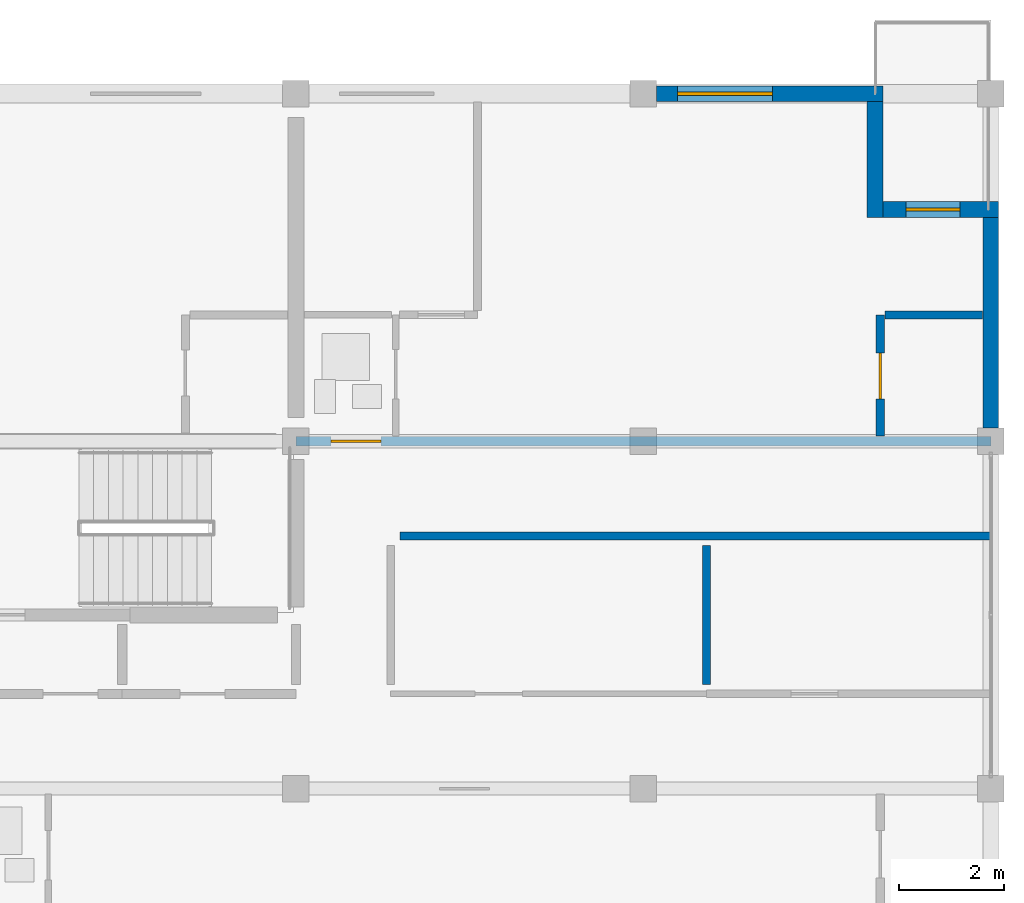
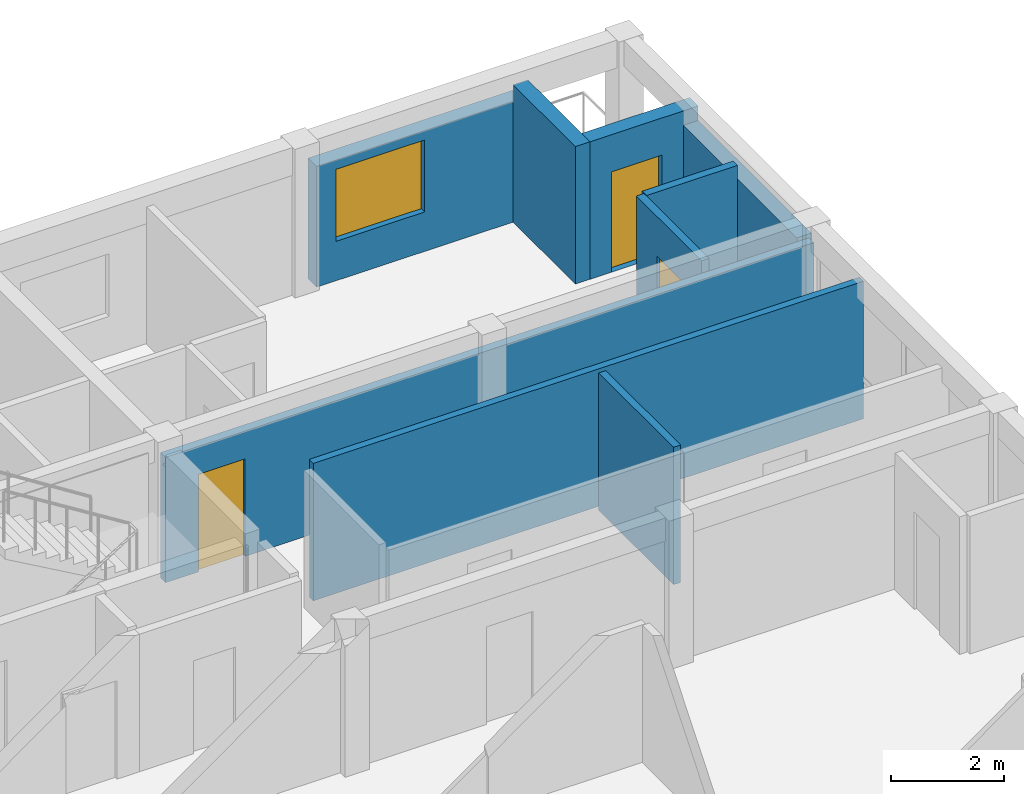
# One storey, part 38 of 45: 9 walls, 3 doors, 1 window, 4 openings.
"""IFC4 building model written with IfcOpenShell, lengths in metres."""

from ifc_helpers import new_model, si_unit, direction, frame, frame_2d, origin, place, context, subcontext, project, spatial, rectangle, extrude, material, layer, layer_set, type_object, element, fill, save


model = new_model("IFC4")

# Units and contexts
model_context = context("Model", 3, precision=1e-05, world=origin(), true_north=direction((0.0, 1.0)))
body_context = subcontext(model_context, "Body", "Model", "MODEL_VIEW")
ifc_project = project(units=[si_unit("LENGTHUNIT", "METRE"), si_unit("AREAUNIT", "SQUARE_METRE"), si_unit("VOLUMEUNIT", "CUBIC_METRE"), si_unit("PLANEANGLEUNIT", "RADIAN"), si_unit("MASSUNIT", "GRAM", prefix="KILO")], contexts=[model_context])

# Site, building, storey
site_placement = place(None, origin())
site = spatial("IfcSite", under=ifc_project, at=site_placement, CompositionType="ELEMENT")
building_placement = place(site_placement, origin())
building = spatial("IfcBuilding", under=site, at=building_placement, Name="Kernevlak Ridge Housing Community", CompositionType="ELEMENT")
storey_placement = place(building_placement, frame((0.0, 0.0, 14.800048828125)))
storey = spatial("IfcBuildingStorey", under=building, at=storey_placement, Name="L04", CompositionType="ELEMENT", Elevation=14.800048828125)

# Wall, opening, window
ifc_material_1 = material(Name="Concrete block masonry M10", Category="masonry")
ifc_layer_1 = layer(ifc_material_1, 0.300048828125, Name="Concrete block masonry M10")
ifc_layer_set_1 = layer_set([ifc_layer_1], Name="Concrete block masonry M10")
wall_type_1 = type_object("IfcWallType", Name="EW-01", PredefinedType="STANDARD", material=ifc_layer_set_1)
wall_1_placement = place(storey_placement, frame((146.050048828125, 102.39990234375, 0.0), z_axis=(0.0, 0.0, 1.0), x_axis=(1.0, 0.0, 0.0)))
wall_1 = element("IfcWall", 1, at=wall_1_placement, inside=storey, type_object=wall_type_1, Name="Exterior wall EW-01 L04 364", PredefinedType="STANDARD", context=body_context, shape_type="SweptSolid", body=[
    extrude(rectangle(XDim=4.300048828125, YDim=0.300048828125, at=frame_2d((2.14990234375, 0.0))), origin(), (0.0, 0.0, 1.0), 2.599853515625),
])
opening_1_placement = place(wall_1_placement, frame((0.39990234375, 0.0, 0.85009765625)))
opening_1 = element("IfcOpeningElement", 2, at=opening_1_placement, cuts=wall_1, Name="Opening WT-04", PredefinedType="OPENING", context=body_context, shape_type="SweptSolid", body=[
    extrude(rectangle(XDim=1.800048828125, YDim=1.550048828125, at=frame_2d((0.89990234375, 0.77490234375))), frame((0.0, 0.159912109375, 0.0), z_axis=(0.0, -1.0, 0.0), x_axis=(1.0, 0.0, 0.0)), (0.0, 0.0, 1.0), 0.320068359375),
])
ifc_material_2 = material(Name="Aluminium EN AW-6060 anodised and laminated glass", Category="aluminium")
window_type = type_object("IfcWindowType", Name="WT-04", PartitioningType="SINGLE_PANEL", PredefinedType="WINDOW", material=ifc_material_2)
window_placement = place(opening_1_placement, origin())
window = element("IfcWindow", 3, at=window_placement, inside=storey, type_object=window_type, Name="Window WT-04 L04 282", OverallHeight=1.550048828125, OverallWidth=1.800048828125, PartitioningType="SINGLE_PANEL", PredefinedType="WINDOW", context=body_context, shape_type="SweptSolid", body=[
    extrude(rectangle(XDim=1.800048828125, YDim=1.550048828125, at=frame_2d((0.89990234375, 0.77490234375))), frame((0.0, 0.030029296875, 0.0), z_axis=(0.0, -1.0, 0.0), x_axis=(1.0, 0.0, 0.0)), (0.0, 0.0, 1.0), 0.06005859375),
])
fill(opening_1, window)

# Wall
wall_2_placement = place(storey_placement, frame((150.199951171875, 102.25, 0.0), z_axis=(0.0, 0.0, 1.0), x_axis=(0.0, -1.0, 0.0)))
element("IfcWall", 4, at=wall_2_placement, inside=storey, type_object=wall_type_1, Name="Exterior wall EW-01 L04 365", PredefinedType="STANDARD", context=body_context, shape_type="SweptSolid", body=[
    extrude(rectangle(XDim=2.199951171875, YDim=0.300048828125, at=frame_2d((1.10009765625, 0.0))), origin(), (0.0, 0.0, 1.0), 2.9599609375),
])

# Wall, opening, door
wall_3_placement = place(storey_placement, frame((150.35009765625, 100.199951171875, 0.0), z_axis=(0.0, 0.0, 1.0), x_axis=(1.0, 0.0, 0.0)))
wall_3 = element("IfcWall", 5, at=wall_3_placement, inside=storey, type_object=wall_type_1, Name="Exterior wall EW-01 L04 366", PredefinedType="STANDARD", context=body_context, shape_type="SweptSolid", body=[
    extrude(rectangle(XDim=2.199951171875, YDim=0.300048828125, at=frame_2d((1.10009765625, 0.0))), origin(), (0.0, 0.0, 1.0), 2.9599609375),
])
opening_2_placement = place(wall_3_placement, frame((0.43994140625, 0.0, 0.0)))
opening_2 = element("IfcOpeningElement", 6, at=opening_2_placement, cuts=wall_3, Name="Opening D731", PredefinedType="OPENING", context=body_context, shape_type="SweptSolid", body=[
    extrude(rectangle(XDim=1.02001953125, YDim=2.159912109375, at=frame_2d((0.510009765625, 1.080078125))), frame((0.0, 0.159912109375, 0.0), z_axis=(0.0, -1.0, 0.0), x_axis=(1.0, 0.0, 0.0)), (0.0, 0.0, 1.0), 0.320068359375),
])
ifc_material_3 = material(Name="Aluminium EN AW-6060 and laminated safety glass", Category="aluminium")
door_type_1 = type_object("IfcDoorType", Name="DT-33", OperationType="NOTDEFINED", PredefinedType="DOOR", material=ifc_material_3)
door_1_placement = place(opening_2_placement, origin())
door_1 = element("IfcDoor", 7, at=door_1_placement, inside=storey, type_object=door_type_1, Name="Flat B0423 corner balcony glazed door D731", OperationType="SINGLE_SWING_LEFT", OverallHeight=2.159912109375, OverallWidth=1.02001953125, PredefinedType="DOOR", context=body_context, shape_type="SweptSolid", body=[
    extrude(rectangle(XDim=1.02001953125, YDim=2.159912109375, at=frame_2d((0.510009765625, 1.080078125))), frame((0.0, 0.02490234375, 0.0), z_axis=(0.0, -1.0, 0.0), x_axis=(1.0, 0.0, 0.0)), (0.0, 0.0, 1.0), 0.050048828125),
])
fill(opening_2, door_1)

# Wall
wall_4_placement = place(storey_placement, frame((152.39990234375, 96.050048828125, 0.0), z_axis=(0.0, 0.0, 1.0), x_axis=(0.0, 1.0, 0.0)))
element("IfcWall", 8, at=wall_4_placement, inside=storey, type_object=wall_type_1, Name="Exterior wall EW-01 L04 370", PredefinedType="STANDARD", context=body_context, shape_type="SweptSolid", body=[
    extrude(rectangle(XDim=4.0, YDim=0.300048828125, at=frame_2d((2.0, 0.0))), origin(), (0.0, 0.0, 1.0), 2.64990234375),
])

# Wall, opening, door
ifc_layer_2 = layer(ifc_material_1, 0.175048828125, Name="Concrete block masonry M10")
ifc_layer_set_2 = layer_set([ifc_layer_2], Name="Concrete block masonry M10")
wall_type_2 = type_object("IfcWallType", Name="PW-02", PredefinedType="PARTITIONING", material=ifc_layer_set_2)
wall_5_placement = place(storey_placement, frame((139.199951171875, 95.800048828125, 0.0), z_axis=(0.0, 0.0, 1.0), x_axis=(1.0, 0.0, 0.0)))
wall_5 = element("IfcWall", 9, at=wall_5_placement, inside=storey, type_object=wall_type_2, Name="Interior wall PW-02 WAL-INT-L04-1437", PredefinedType="PARTITIONING", context=body_context, shape_type="SweptSolid", body=[
    extrude(rectangle(XDim=13.199951171875, YDim=0.175048828125, at=frame_2d((6.60009765625, 0.0))), origin(), (0.0, 0.0, 1.0), 2.699951171875),
])
opening_3_placement = place(wall_5_placement, frame((0.669921875, 0.0, 0.0)))
opening_3 = element("IfcOpeningElement", 10, at=opening_3_placement, cuts=wall_5, Name="Opening D727", PredefinedType="OPENING", context=body_context, shape_type="SweptSolid", body=[
    extrude(rectangle(XDim=0.949951171875, YDim=2.10009765625, at=frame_2d((0.47509765625, 1.050048828125))), frame((0.0, 0.097412109375, 0.0), z_axis=(0.0, -1.0, 0.0), x_axis=(1.0, 0.0, 0.0)), (0.0, 0.0, 1.0), 0.195068359375),
])
ifc_material_4 = material(Name="Hardwood timber solid-core fire leaf", Category="wood")
door_type_2 = type_object("IfcDoorType", Name="DT-01", OperationType="NOTDEFINED", PredefinedType="DOOR", material=ifc_material_4)
door_2_placement = place(opening_3_placement, origin())
door_2 = element("IfcDoor", 11, at=door_2_placement, inside=storey, type_object=door_type_2, Name="Flat B0423 entrance fire door D727", OperationType="SINGLE_SWING_LEFT", OverallHeight=2.10009765625, OverallWidth=0.949951171875, PredefinedType="DOOR", context=body_context, shape_type="SweptSolid", body=[
    extrude(rectangle(XDim=0.949951171875, YDim=2.10009765625, at=frame_2d((0.47509765625, 1.050048828125))), frame((0.0, 0.02490234375, 0.0), z_axis=(0.0, -1.0, 0.0), x_axis=(1.0, 0.0, 0.0)), (0.0, 0.0, 1.0), 0.050048828125),
])
fill(opening_3, door_2)

# Walls
ifc_layer_3 = layer(ifc_material_1, 0.14501953125, Name="Concrete block masonry M10")
ifc_layer_set_3 = layer_set([ifc_layer_3], Name="Concrete block masonry M10")
wall_type_3 = type_object("IfcWallType", Name="PW-03", PredefinedType="PARTITIONING", material=ifc_layer_set_3)
wall_6_placement = place(storey_placement, frame((147.0, 91.179931640625, 0.0), z_axis=(0.0, 0.0, 1.0), x_axis=(0.0, 1.0, 0.0)))
element("IfcWall", 12, at=wall_6_placement, inside=storey, type_object=wall_type_3, Name="Interior wall PW-03 WAL-INT-L04-1403", PredefinedType="PARTITIONING", context=body_context, shape_type="SweptSolid", body=[
    extrude(rectangle(XDim=2.64013671875, YDim=0.14501953125, at=frame_2d((1.320068359375, 0.0))), origin(), (0.0, 0.0, 1.0), 2.9599609375),
])
wall_7_placement = place(storey_placement, frame((141.179931640625, 94.0, 0.0), z_axis=(0.0, 0.0, 1.0), x_axis=(1.0, 0.0, 0.0)))
element("IfcWall", 13, at=wall_7_placement, inside=storey, type_object=wall_type_3, Name="Interior wall PW-03 WAL-INT-L04-1404", PredefinedType="PARTITIONING", context=body_context, shape_type="SweptSolid", body=[
    extrude(rectangle(XDim=11.199951171875, YDim=0.14501953125, at=frame_2d((5.60009765625, 0.0))), origin(), (0.0, 0.0, 1.0), 2.9599609375),
])

# Wall, opening, door
ifc_material_5 = material(Name="Gypsum plasterboard EN 520", Category="gypsum")
ifc_layer_4 = layer(ifc_material_5, 0.155029296875, Name="Gypsum plasterboard EN 520")
ifc_layer_set_4 = layer_set([ifc_layer_4], Name="Gypsum plasterboard EN 520")
wall_type_4 = type_object("IfcWallType", Name="PW-05", PredefinedType="PARTITIONING", material=ifc_layer_set_4)
wall_8_placement = place(storey_placement, frame((150.300048828125, 95.8974609375, 0.0), z_axis=(0.0, 0.0, 1.0), x_axis=(0.0, 1.0, 0.0)))
wall_8 = element("IfcWall", 14, at=wall_8_placement, inside=storey, type_object=wall_type_4, Name="Interior wall PW-05 WAL-INT-L04-1440", PredefinedType="PARTITIONING", context=body_context, shape_type="SweptSolid", body=[
    extrude(rectangle(XDim=2.302490234375, YDim=0.155029296875, at=frame_2d((1.1513671875, 0.0))), origin(), (0.0, 0.0, 1.0), 2.9599609375),
])
opening_4_placement = place(wall_8_placement, frame((0.699951171875, 0.0, 0.0)))
opening_4 = element("IfcOpeningElement", 15, at=opening_4_placement, cuts=wall_8, Name="Opening D729", PredefinedType="OPENING", context=body_context, shape_type="SweptSolid", body=[
    extrude(rectangle(XDim=0.8798828125, YDim=2.10009765625, at=frame_2d((0.43994140625, 1.050048828125))), frame((0.0, 0.08740234375, 0.0), z_axis=(0.0, -1.0, 0.0), x_axis=(1.0, 0.0, 0.0)), (0.0, 0.0, 1.0), 0.175048828125),
])
ifc_material_6 = material(Name="Hardwood timber leaf", Category="wood")
door_type_3 = type_object("IfcDoorType", Name="DT-25", OperationType="NOTDEFINED", PredefinedType="DOOR", material=ifc_material_6)
door_3_placement = place(opening_4_placement, origin())
door_3 = element("IfcDoor", 16, at=door_3_placement, inside=storey, type_object=door_type_3, Name="Flat B0423 kitchen door D729", OperationType="SINGLE_SWING_LEFT", OverallHeight=2.10009765625, OverallWidth=0.8798828125, PredefinedType="DOOR", context=body_context, shape_type="SweptSolid", body=[
    extrude(rectangle(XDim=0.8798828125, YDim=2.10009765625, at=frame_2d((0.43994140625, 1.050048828125))), frame((0.0, 0.02490234375, 0.0), z_axis=(0.0, -1.0, 0.0), x_axis=(1.0, 0.0, 0.0)), (0.0, 0.0, 1.0), 0.050048828125),
])
fill(opening_4, door_3)

# Wall
wall_9_placement = place(storey_placement, frame((150.387451171875, 98.199951171875, 0.0), z_axis=(0.0, 0.0, 1.0), x_axis=(1.0, 0.0, 0.0)))
element("IfcWall", 17, at=wall_9_placement, inside=storey, type_object=wall_type_4, Name="Interior wall PW-05 WAL-INT-L04-1441", PredefinedType="PARTITIONING", context=body_context, shape_type="SweptSolid", body=[
    extrude(rectangle(XDim=1.8525390625, YDim=0.155029296875, at=frame_2d((0.92626953125, 0.0))), origin(), (0.0, 0.0, 1.0), 2.9599609375),
])

save(model, "model.ifc")
